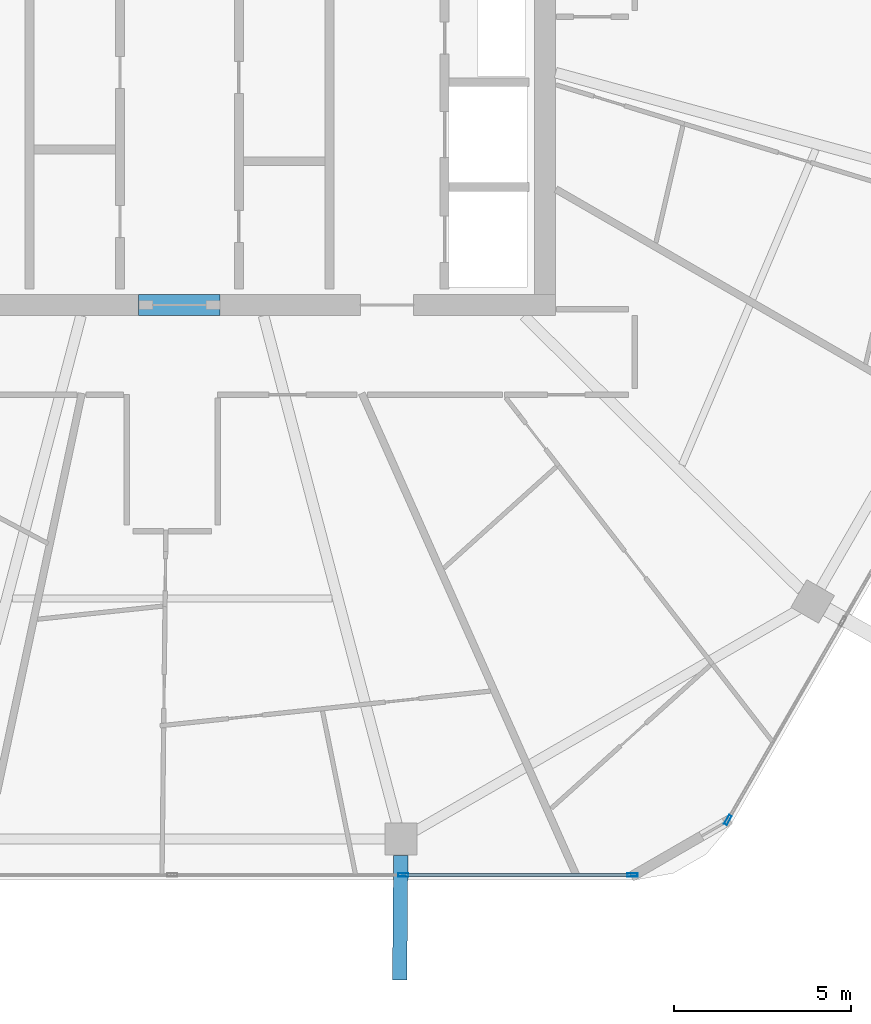
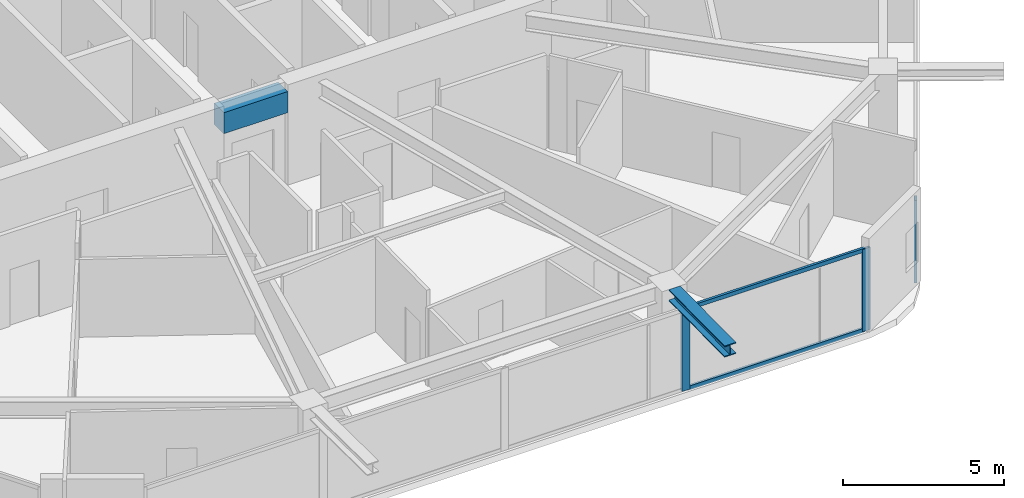
# One storey, part 7 of 26: 5 members, 2 beams, 2 elements without a shape of their own.
"""IFC4 building model written with IfcOpenShell, lengths in metres."""

import ifcopenshell
import ifcopenshell.guid

model = None  # the IFC model being written
_history = None  # IfcOwnerHistory: only IFC2X3 demands one
_inside = {}  # id of a spatial element -> (the spatial element, [elements in it])
_under = {}  # id of a project, library or spatial element -> (it, [spatial elements below it])
_declared = {}  # id of a project -> (the project, [libraries it declares])
_typed = {}  # id of a type object -> (the type object, [elements of that type])
_made_of = {}  # id of a material, layer set ... -> (it, [elements and type objects made of it])


def new_model(schema):
    """Start an empty IFC model of exactly this schema.

    Asked for "IFC4X3", IfcOpenShell would pick the latest addendum, in which some entities
    have other attributes; the version numbers below select the first issue.
    IFC2X3 requires an IfcOwnerHistory on every rooted entity: one is made here for all.
    """
    global model, _history
    if schema == "IFC4X3":
        model = ifcopenshell.file(schema_version=(4, 3, 0, 0))
    else:
        model = ifcopenshell.file(schema=schema)
    _inside.clear()
    _under.clear()
    _declared.clear()
    _typed.clear()
    _made_of.clear()
    _history = None
    if model.schema == "IFC2X3":
        org = make("IfcOrganization", Name="unknown")
        user = make(
            "IfcPersonAndOrganization",
            ThePerson=make("IfcPerson", FamilyName="unknown"),
            TheOrganization=org,
        )
        app = make(
            "IfcApplication",
            ApplicationDeveloper=org,
            Version="unknown",
            ApplicationFullName="unknown",
            ApplicationIdentifier="unknown",
        )
        _history = make(
            "IfcOwnerHistory",
            OwningUser=user,
            OwningApplication=app,
            ChangeAction="ADDED",
            CreationDate=0,
        )
    return model


def make(cls, **values):
    """One entity of the class cls with the attributes given. An attribute that is None is left unset."""
    return model.create_entity(
        cls, **{name: value for name, value in values.items() if value is not None}
    )


def rooted(cls, **values):
    """An entity with a GlobalId (a new one), such as an element, a storey or a relation."""
    return make(cls, GlobalId=ifcopenshell.guid.new(), OwnerHistory=_history, **values)


def si_unit(unit_type, name, prefix=None):
    """IfcSIUnit, for example si_unit("LENGTHUNIT", "METRE", prefix="MILLI")."""
    return make("IfcSIUnit", UnitType=unit_type, Prefix=prefix, Name=name)


def assignment(units):
    """IfcUnitAssignment: the units of a project."""
    return None if units is None else make("IfcUnitAssignment", Units=units)


def point(xyz):
    """IfcCartesianPoint."""
    return None if xyz is None else make("IfcCartesianPoint", Coordinates=xyz)


def direction(xyz):
    """IfcDirection."""
    return None if xyz is None else make("IfcDirection", DirectionRatios=xyz)


def frame(location, z_axis=None, x_axis=None):
    """IfcAxis2Placement3D, a coordinate frame: its origin and axes. An axis left out is left unset."""
    return make(
        "IfcAxis2Placement3D",
        Location=point(location),
        Axis=direction(z_axis),
        RefDirection=direction(x_axis),
    )


def frame_2d(location, x_axis=None):
    """IfcAxis2Placement2D, a coordinate frame in the plane: its origin and x axis."""
    return make(
        "IfcAxis2Placement2D", Location=point(location), RefDirection=direction(x_axis)
    )


def origin():
    """The frame at (0, 0, 0) with its axes left unset."""
    return frame((0.0, 0.0, 0.0))


def origin_2d():
    """The frame at (0, 0) in the plane with its x axis left unset."""
    return frame_2d((0.0, 0.0))


def place(relative_to, where):
    """IfcLocalPlacement: puts the frame where relative to a parent placement (None: the world)."""
    return make(
        "IfcLocalPlacement", PlacementRelTo=relative_to, RelativePlacement=where
    )


def context(
    kind, dimensions, precision=None, world=None, true_north=None, identifier=None
):
    """IfcGeometricRepresentationContext, for example the 3D "Model" context."""
    return make(
        "IfcGeometricRepresentationContext",
        ContextIdentifier=identifier,
        ContextType=kind,
        CoordinateSpaceDimension=dimensions,
        Precision=precision,
        WorldCoordinateSystem=world,
        TrueNorth=true_north,
    )


def subcontext(parent, identifier, kind, view, scale=None):
    """IfcGeometricRepresentationSubContext, for example "Body" below "Model"."""
    return make(
        "IfcGeometricRepresentationSubContext",
        ContextIdentifier=identifier,
        ContextType=kind,
        ParentContext=parent,
        TargetScale=scale,
        TargetView=view,
    )


def project(units=None, contexts=None):
    """IfcProject with its units and contexts."""
    return rooted(
        "IfcProject",
        Name="project",
        RepresentationContexts=contexts,
        UnitsInContext=assignment(units),
    )


def spatial(cls, under=None, at=None, **own):
    """A site, building, storey or space (cls), placed at a placement, below another one or the project."""
    s = rooted(cls, ObjectPlacement=at, **own)
    if under is not None:
        _under.setdefault(under.id(), (under, []))[1].append(s)
    return s


def profile(cls, at=None, kind="AREA", **sizes):
    """A parametric profile (cls). Its sizes go by their IFC names, for example OverallWidth=200.0."""
    return make(cls, ProfileType=kind, Position=at, **sizes)


def rectangle(**sizes):
    """IfcRectangleProfileDef."""
    return profile("IfcRectangleProfileDef", **sizes)


def hollow_rectangle(**sizes):
    """IfcRectangleHollowProfileDef."""
    return profile("IfcRectangleHollowProfileDef", **sizes)


def i_section(**sizes):
    """IfcIShapeProfileDef."""
    return profile("IfcIShapeProfileDef", **sizes)


def extrude(swept, where, along, depth):
    """IfcExtrudedAreaSolid: the profile swept, set in the frame where, extruded along a direction by depth."""
    return make(
        "IfcExtrudedAreaSolid",
        SweptArea=swept,
        Position=where,
        ExtrudedDirection=direction(along),
        Depth=depth,
    )


def shape(context_of_items, identifier, shape_type, items):
    """IfcShapeRepresentation: the items that make up one representation, for example the "Body"."""
    return make(
        "IfcShapeRepresentation",
        ContextOfItems=context_of_items,
        RepresentationIdentifier=identifier,
        RepresentationType=shape_type,
        Items=items,
    )


def material(Name=None, Category=None):
    """IfcMaterial."""
    return make("IfcMaterial", Name=Name, Category=Category)


def material_profile(
    of_material, cross_section, Name=None, Category=None, Priority=None
):
    """IfcMaterialProfile: a cross section and its material."""
    return make(
        "IfcMaterialProfile",
        Name=Name,
        Material=of_material,
        Profile=cross_section,
        Priority=Priority,
        Category=Category,
    )


def profile_set(profiles, Name=None, composite=None):
    """IfcMaterialProfileSet."""
    return make(
        "IfcMaterialProfileSet",
        Name=Name,
        MaterialProfiles=profiles,
        CompositeProfile=composite,
    )


def made_of(thing, what):
    """Note that an element or type object is made of a material, layer set ...; save() writes the relation."""
    if what is not None:
        _made_of.setdefault(what.id(), (what, []))[1].append(thing)
    return thing


def type_object(cls, material=None, **own):
    """A type object (cls), such as IfcWallType, which elements share."""
    return made_of(rooted(cls, **own), material)


def element(
    cls,
    number,
    at=None,
    inside=None,
    cuts=None,
    type_object=None,
    material=None,
    context=None,
    identifier="Body",
    shape_type=None,
    held_by="IfcProductDefinitionShape",
    body=None,
    shapes=None,
    **own,
):
    """One element of the class cls, such as IfcWall. Its Tag is "e" and its number.

    at: its placement. inside: the storey or other place that contains it. cuts: it is an
    opening in that element (IfcRelVoidsElement). A single representation is given by context,
    identifier, shape_type and body (its items); several are given by shapes. held_by: the class
    of the entity that holds the representations. save() writes the other relations.
    """
    e = rooted(cls, Tag="e%d" % number, ObjectPlacement=at, **own)
    if body is not None:
        shapes = [shape(context, identifier, shape_type, body)]
    if shapes is not None:
        e.Representation = make(held_by, Representations=shapes)
    if inside is not None:
        _inside.setdefault(inside.id(), (inside, []))[1].append(e)
    if cuts is not None:
        rooted(
            "IfcRelVoidsElement", RelatingBuildingElement=cuts, RelatedOpeningElement=e
        )
    if type_object is not None:
        _typed.setdefault(type_object.id(), (type_object, []))[1].append(e)
    return made_of(e, material)


def aggregate(whole, parts):
    """IfcRelAggregates: a whole, such as a stair, and the parts it consists of."""
    return rooted("IfcRelAggregates", RelatingObject=whole, RelatedObjects=parts)


def save(model, path):
    """Write the relations noted so far, then the file.

    IfcRelAggregates (storeys below a building ...), IfcRelContainedInSpatialStructure (elements
    in a storey), IfcRelDefinesByType, IfcRelAssociatesMaterial and IfcRelDeclares: one each for
    every whole, place, type object, material and project.
    """
    for whole, parts in _under.values():
        aggregate(whole, parts)
    for where, things in _inside.values():
        rooted(
            "IfcRelContainedInSpatialStructure",
            RelatedElements=things,
            RelatingStructure=where,
        )
    for kind, things in _typed.values():
        rooted("IfcRelDefinesByType", RelatedObjects=things, RelatingType=kind)
    for what, things in _made_of.values():
        rooted("IfcRelAssociatesMaterial", RelatedObjects=things, RelatingMaterial=what)
    for by, libraries in _declared.values():
        rooted("IfcRelDeclares", RelatingContext=by, RelatedDefinitions=libraries)
    model.write(path)


model = new_model("IFC4")

# Units and contexts
model_context = context("Model", 3, precision=1e-05, world=origin(), true_north=direction((0.0, 1.0)))
body_context = subcontext(model_context, "Body", "Model", "MODEL_VIEW")
ifc_project = project(units=[si_unit("LENGTHUNIT", "METRE"), si_unit("AREAUNIT", "SQUARE_METRE"), si_unit("VOLUMEUNIT", "CUBIC_METRE"), si_unit("PLANEANGLEUNIT", "RADIAN"), si_unit("MASSUNIT", "GRAM", prefix="KILO")], contexts=[model_context])

# Site, building, storey
site_placement = place(None, origin())
site = spatial("IfcSite", under=ifc_project, at=site_placement, CompositionType="ELEMENT")
building_placement = place(site_placement, origin())
building = spatial("IfcBuilding", under=site, at=building_placement, Name="Zuhravey Tower", CompositionType="ELEMENT")
storey_placement = place(building_placement, frame((0.0, 0.0, 250.199951171875)))
storey = spatial("IfcBuildingStorey", under=building, at=storey_placement, Name="L63", CompositionType="ELEMENT", Elevation=250.199951171875)

# Beam
ifc_material_1 = material(Name="Concrete C50/60", Category="concrete")
ifc_material_profile_1 = material_profile(ifc_material_1, rectangle(XDim=0.60009765625, YDim=0.800048828125, at=origin_2d()), Name="RC-600x800")
ifc_profile_set_1 = profile_set([ifc_material_profile_1], Name="Concrete C50/60")
beam_type_1 = type_object("IfcBeamType", Name="Core Coupling Beam RC600x800", PredefinedType="LINTEL", material=ifc_profile_set_1)
beam_1_placement = place(storey_placement, frame((35.052001953125, 22.5, 3.150146484375), z_axis=(1.0, 0.0, 0.0), x_axis=(0.0, 1.0, 0.0)))
element("IfcBeam", 1, at=beam_1_placement, inside=storey, type_object=beam_type_1, Name="L63 CB2 BM-L63-CB-S", PredefinedType="LINTEL", context=body_context, shape_type="SweptSolid", body=[
    extrude(rectangle(XDim=0.60009765625, YDim=0.800048828125, at=origin_2d()), origin(), (0.0, 0.0, 1.0), 2.2958984375),
])

# Curtain wall, member
ifc_material_2 = material(Name="Thermally broken anodised aluminium", Category="aluminium")
curtain_wall_type = type_object("IfcCurtainWallType", Name="Zone 3-4 High-Rise Curtain Wall CW4", PredefinedType="NOTDEFINED", material=ifc_material_2)
curtain_wall_1_placement = place(storey_placement, origin())
curtain_wall_1 = element("IfcCurtainWall", 2, at=curtain_wall_1_placement, inside=storey, type_object=curtain_wall_type, Name="L63 CW4 CW-L63-F6-1", PredefinedType="NOTDEFINED")
ifc_material_3 = material(Name="Anodised aluminium", Category="aluminium")
ifc_material_profile_2 = material_profile(ifc_material_3, hollow_rectangle(XDim=0.090087890625, YDim=0.284912109375, WallThickness=0.0048828125, at=origin_2d()), Name="ALU-RHS-90x285x5")
ifc_profile_set_2 = profile_set([ifc_material_profile_2], Name="Anodised aluminium")
member_type_1 = type_object("IfcMemberType", Name="Curtain-Wall Mullion 90x180", PredefinedType="MULLION", material=ifc_profile_set_2)
member_1_placement = place(storey_placement, frame((51.65478515625, 7.98779296875, 0.0), z_axis=(0.0, 0.0, 1.0), x_axis=(0.866024851021, -0.500000957414, 0.0)))
member_1 = element("IfcMember", 3, at=member_1_placement, type_object=member_type_1, Name="CW4 mullion 5", PredefinedType="MULLION", context=body_context, shape_type="SweptSolid", body=[
    extrude(hollow_rectangle(XDim=0.090087890625, YDim=0.284912109375, WallThickness=0.0048828125, at=origin_2d()), origin(), (0.0, 0.0, 1.0), 3.1220703125),
])
aggregate(curtain_wall_1, [member_1])

# Curtain wall, members
curtain_wall_2_placement = place(storey_placement, origin())
curtain_wall_2 = element("IfcCurtainWall", 4, at=curtain_wall_2_placement, inside=storey, type_object=curtain_wall_type, Name="L63 CW4 CW-L63-F5-1", PredefinedType="NOTDEFINED")
member_2_placement = place(storey_placement, frame((48.9677734375, 6.436279296875, 0.0), z_axis=(0.0, 0.0, 1.0), x_axis=(0.0, -1.0, 0.0)))
member_2 = element("IfcMember", 5, at=member_2_placement, type_object=member_type_1, Name="CW4 mullion 1", PredefinedType="MULLION", context=body_context, shape_type="SweptSolid", body=[
    extrude(hollow_rectangle(XDim=0.090087890625, YDim=0.284912109375, WallThickness=0.0048828125, at=origin_2d()), origin(), (0.0, 0.0, 1.0), 3.1220703125),
])
member_3_placement = place(storey_placement, frame((42.50634765625, 6.436279296875, 0.0), z_axis=(0.0, 0.0, 1.0), x_axis=(0.0, -1.0, 0.0)))
member_3 = element("IfcMember", 6, at=member_3_placement, type_object=member_type_1, Name="CW4 mullion 2", PredefinedType="MULLION", context=body_context, shape_type="SweptSolid", body=[
    extrude(hollow_rectangle(XDim=0.090087890625, YDim=0.284912109375, WallThickness=0.0048828125, at=origin_2d()), origin(), (0.0, 0.0, 1.0), 3.1220703125),
])
ifc_material_profile_3 = material_profile(ifc_material_3, hollow_rectangle(XDim=0.090087890625, YDim=0.14990234375, WallThickness=0.0048828125, at=origin_2d()), Name="ALU-RHS-90x150x5")
ifc_profile_set_3 = profile_set([ifc_material_profile_3], Name="Anodised aluminium")
member_type_2 = type_object("IfcMemberType", Name="Curtain-Wall Transom 90x150", PredefinedType="USERDEFINED", material=ifc_profile_set_3)
member_4_placement = place(storey_placement, frame((48.922607421875, 6.436279296875, 0.045166015625), z_axis=(-1.0, 0.0, 0.0), x_axis=(0.0, -1.0, 0.0)))
member_4 = element("IfcMember", 7, at=member_4_placement, type_object=member_type_2, Name="CW4 transom 1.1", ObjectType="TRANSOM", PredefinedType="USERDEFINED", context=body_context, shape_type="SweptSolid", body=[
    extrude(hollow_rectangle(XDim=0.090087890625, YDim=0.14990234375, WallThickness=0.0048828125, at=origin_2d()), origin(), (0.0, 0.0, 1.0), 6.371337890625),
])
member_5_placement = place(storey_placement, frame((48.922607421875, 6.436279296875, 3.0771484375), z_axis=(-1.0, 0.0, 0.0), x_axis=(0.0, -1.0, 0.0)))
member_5 = element("IfcMember", 8, at=member_5_placement, type_object=member_type_2, Name="CW4 transom 1.2", ObjectType="TRANSOM", PredefinedType="USERDEFINED", context=body_context, shape_type="SweptSolid", body=[
    extrude(hollow_rectangle(XDim=0.090087890625, YDim=0.14990234375, WallThickness=0.0048828125, at=origin_2d()), origin(), (0.0, 0.0, 1.0), 6.371337890625),
])
aggregate(curtain_wall_2, [member_2, member_3, member_4, member_5])

# Beam
ifc_material_4 = material(Name="Steel SM460", Category="steel")
ifc_material_profile_4 = material_profile(ifc_material_4, i_section(OverallWidth=0.406982421875, OverallDepth=0.427978515625, WebThickness=0.02001953125, FlangeThickness=0.034912109375, at=origin_2d()), Name="H-428x407x20x35")
ifc_profile_set_4 = profile_set([ifc_material_profile_4], Name="Steel SM460")
beam_type_2 = type_object("IfcBeamType", Name="Exoskeleton Node Tie Beam H428x407", PredefinedType="BEAM", material=ifc_profile_set_4)
beam_2_placement = place(storey_placement, frame((42.43701171875, 6.992431640625, 3.3359375), z_axis=(-0.008344052746, -0.999965187786, 0.0), x_axis=(0.999965187786, -0.008344052746, 0.0)))
element("IfcBeam", 9, at=beam_2_placement, inside=storey, type_object=beam_type_2, Name="L63 Exoskeleton Node Tie NT1-10", PredefinedType="BEAM", context=body_context, shape_type="SweptSolid", body=[
    extrude(i_section(OverallWidth=0.406982421875, OverallDepth=0.427978515625, WebThickness=0.02001953125, FlangeThickness=0.034912109375, at=origin_2d()), origin(), (0.0, 0.0, 1.0), 3.51123046875),
])

save(model, "model.ifc")
